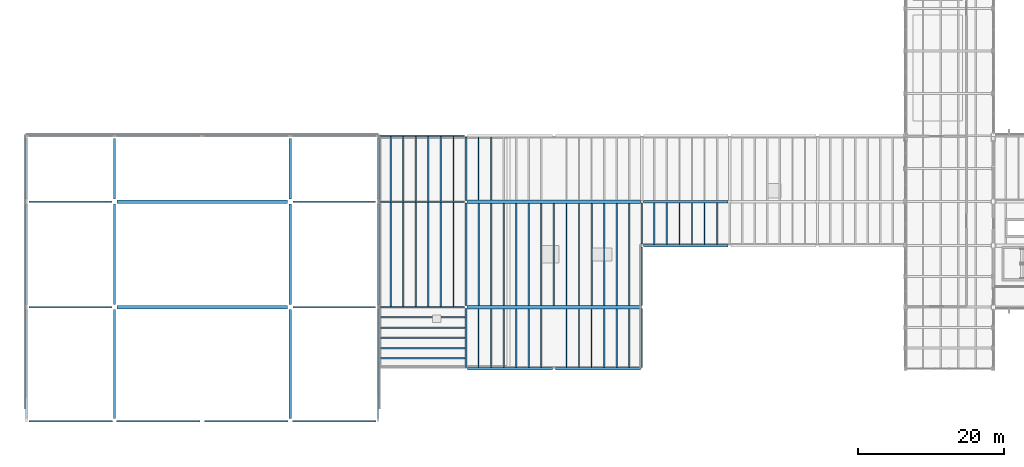
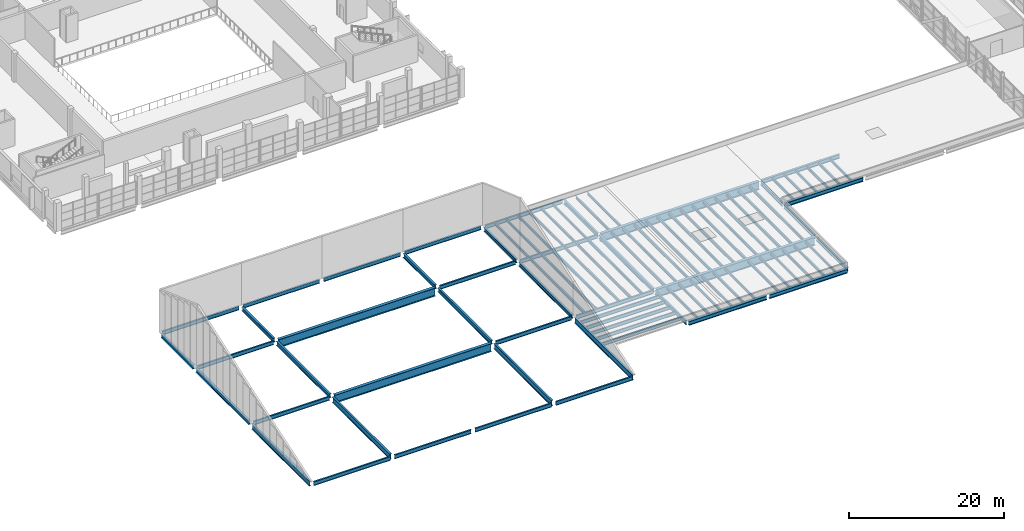
# One storey, part 6 of 63: 91 beams.
"""IFC4 building model written with IfcOpenShell, lengths in metres."""

from ifc_helpers import new_model, si_unit, direction, frame, origin, origin_2d, place, context, subcontext, project, spatial, i_section, extrude, material, material_profile, profile_set, type_object, element, save


model = new_model("IFC4")

# Units and contexts
model_context = context("Model", 3, precision=1e-05, world=origin(), true_north=direction((0.0, 1.0)))
body_context = subcontext(model_context, "Body", "Model", "MODEL_VIEW")
ifc_project = project(units=[si_unit("LENGTHUNIT", "METRE"), si_unit("AREAUNIT", "SQUARE_METRE"), si_unit("VOLUMEUNIT", "CUBIC_METRE"), si_unit("PLANEANGLEUNIT", "RADIAN"), si_unit("MASSUNIT", "GRAM", prefix="KILO")], contexts=[model_context])

# Site, building, storey
site_placement = place(None, origin())
site = spatial("IfcSite", under=ifc_project, at=site_placement, CompositionType="ELEMENT")
building_placement = place(site_placement, origin())
building = spatial("IfcBuilding", under=site, at=building_placement, Name="Kelmvaro Bay Concert Hall", CompositionType="ELEMENT")
storey_placement = place(building_placement, frame((0.0, 0.0, 13.800048828125)))
storey = spatial("IfcBuildingStorey", under=building, at=storey_placement, Name="L03", CompositionType="ELEMENT", Elevation=13.800048828125)

# Beams
ifc_material_1 = material(Name="Steel ASTM A992 Grade 50", Category="steel")
ifc_material_profile_1 = material_profile(ifc_material_1, i_section(OverallWidth=0.19189453125, OverallDepth=0.4619140625, WebThickness=0.010498046875, FlangeThickness=0.017578125, at=origin_2d()), Name="W18X60")
ifc_profile_set_1 = profile_set([ifc_material_profile_1], Name="Steel ASTM A992 Grade 50")
beam_type_1 = type_object("IfcBeamType", Name="Acoustic Box Floor Joist W18x60", PredefinedType="JOIST", material=ifc_profile_set_1)
for number, where, z_axis, x_axis, name in (
    (1, (49.71435546875, 15.714111328125, -0.361083984375), (0.0, 1.0, 0.0), (-1.0, 0.0, 0.0), "L03 Floor Joist JST-L03-1479"),
    (2, (51.4287109375, 15.714111328125, -0.361083984375), (0.0, 1.0, 0.0), (-1.0, 0.0, 0.0), "L03 Floor Joist JST-L03-1480"),
    (3, (53.142822265625, 15.714111328125, -0.361083984375), (0.0, 1.0, 0.0), (-1.0, 0.0, 0.0), "L03 Floor Joist JST-L03-1481"),
    (4, (54.857177734375, 15.714111328125, -0.361083984375), (0.0, 1.0, 0.0), (-1.0, 0.0, 0.0), "L03 Floor Joist JST-L03-1482"),
    (5, (56.5712890625, 15.714111328125, -0.361083984375), (0.0, 1.0, 0.0), (-1.0, 0.0, 0.0), "L03 Floor Joist JST-L03-1483"),
    (6, (58.28564453125, 15.714111328125, -0.361083984375), (0.0, 1.0, 0.0), (-1.0, 0.0, 0.0), "L03 Floor Joist JST-L03-1484"),
):
    element("IfcBeam", number, at=place(storey_placement, frame(where, z_axis=z_axis, x_axis=x_axis)), inside=storey, type_object=beam_type_1, Name=name, PredefinedType="JOIST", context=body_context, shape_type="SweptSolid", body=[
        extrude(i_section(OverallWidth=0.19189453125, OverallDepth=0.4619140625, WebThickness=0.010498046875, FlangeThickness=0.017578125, at=origin_2d()), origin(), (0.0, 0.0, 1.0), 14.171875),
    ])
for number, where, z_axis, x_axis, name in (
    (7, (61.71435546875, 15.824951171875, -0.361083984375), (0.0, 1.0, 0.0), (-1.0, 0.0, 0.0), "L03 Floor Joist JST-L03-1485"),
    (8, (63.4287109375, 15.824951171875, -0.361083984375), (0.0, 1.0, 0.0), (-1.0, 0.0, 0.0), "L03 Floor Joist JST-L03-1486"),
    (9, (65.142822265625, 15.824951171875, -0.361083984375), (0.0, 1.0, 0.0), (-1.0, 0.0, 0.0), "L03 Floor Joist JST-L03-1487"),
    (10, (66.857177734375, 15.824951171875, -0.361083984375), (0.0, 1.0, 0.0), (-1.0, 0.0, 0.0), "L03 Floor Joist JST-L03-1488"),
    (11, (68.5712890625, 15.824951171875, -0.361083984375), (0.0, 1.0, 0.0), (-1.0, 0.0, 0.0), "L03 Floor Joist JST-L03-1489"),
    (12, (70.28564453125, 15.824951171875, -0.361083984375), (0.0, 1.0, 0.0), (-1.0, 0.0, 0.0), "L03 Floor Joist JST-L03-1490"),
    (13, (72.0, 15.824951171875, -0.361083984375), (0.0, 1.0, 0.0), (-1.0, 0.0, 0.0), "L03 Floor Joist JST-L03-1491"),
    (14, (73.71435546875, 15.824951171875, -0.361083984375), (0.0, 1.0, 0.0), (-1.0, 0.0, 0.0), "L03 Floor Joist JST-L03-1492"),
    (15, (75.4287109375, 15.824951171875, -0.361083984375), (0.0, 1.0, 0.0), (-1.0, 0.0, 0.0), "L03 Floor Joist JST-L03-1493"),
    (16, (77.142822265625, 15.824951171875, -0.361083984375), (0.0, 1.0, 0.0), (-1.0, 0.0, 0.0), "L03 Floor Joist JST-L03-1494"),
    (17, (78.857177734375, 15.824951171875, -0.361083984375), (0.0, 1.0, 0.0), (-1.0, 0.0, 0.0), "L03 Floor Joist JST-L03-1495"),
    (18, (80.5712890625, 15.824951171875, -0.361083984375), (0.0, 1.0, 0.0), (-1.0, 0.0, 0.0), "L03 Floor Joist JST-L03-1496"),
    (19, (82.28564453125, 15.824951171875, -0.361083984375), (0.0, 1.0, 0.0), (-1.0, 0.0, 0.0), "L03 Floor Joist JST-L03-1497"),
):
    element("IfcBeam", number, at=place(storey_placement, frame(where, z_axis=z_axis, x_axis=x_axis)), inside=storey, type_object=beam_type_1, Name=name, PredefinedType="JOIST", context=body_context, shape_type="SweptSolid", body=[
        extrude(i_section(OverallWidth=0.19189453125, OverallDepth=0.4619140625, WebThickness=0.010498046875, FlangeThickness=0.017578125, at=origin_2d()), origin(), (0.0, 0.0, 1.0), 13.949951171875),
    ])
ifc_material_2 = material(Name="Steel ASTM A992 Grade 50", Category="steel")
ifc_material_profile_2 = material_profile(ifc_material_2, i_section(OverallWidth=0.323974609375, OverallDepth=0.611083984375, WebThickness=0.0126953125, FlangeThickness=0.01904296875, at=origin_2d()), Name="W24X104")
ifc_profile_set_2 = profile_set([ifc_material_profile_2], Name="Steel ASTM A992 Grade 50")
beam_type_2 = type_object("IfcBeamType", Name="Foyer Frame Girder W24x104", PredefinedType="BEAM", material=ifc_profile_set_2)
for number, where, z_axis, x_axis, name in (
    (20, (60.199462890625, 7.199951171875, -0.435546875), (1.0, 0.0, 0.0), (0.0, 1.0, 0.0), "L03 Girder BM-L03-EW-1332"),
    (21, (72.199462890625, 7.199951171875, -0.435546875), (1.0, 0.0, 0.0), (0.0, 1.0, 0.0), "L03 Girder BM-L03-EW-1333"),
):
    element("IfcBeam", number, at=place(storey_placement, frame(where, z_axis=z_axis, x_axis=x_axis)), inside=storey, type_object=beam_type_2, Name=name, PredefinedType="BEAM", context=body_context, shape_type="SweptSolid", body=[
        extrude(i_section(OverallWidth=0.323974609375, OverallDepth=0.611083984375, WebThickness=0.0126953125, FlangeThickness=0.01904296875, at=origin_2d()), origin(), (0.0, 0.0, 1.0), 11.60107421875),
    ])
for number, where, z_axis, x_axis, name in (
    (22, (84.199462890625, 24.0, -0.435546875), (1.0, 0.0, 0.0), (0.0, 1.0, 0.0), "L03 Girder BM-L03-EW-1342"),
    (23, (84.199462890625, 30.0, -0.435546875), (1.0, 0.0, 0.0), (0.0, 1.0, 0.0), "L03 Girder BM-L03-EW-1351"),
):
    element("IfcBeam", number, at=place(storey_placement, frame(where, z_axis=z_axis, x_axis=x_axis)), inside=storey, type_object=beam_type_2, Name=name, PredefinedType="BEAM", context=body_context, shape_type="SweptSolid", body=[
        extrude(i_section(OverallWidth=0.323974609375, OverallDepth=0.611083984375, WebThickness=0.0126953125, FlangeThickness=0.01904296875, at=origin_2d()), origin(), (0.0, 0.0, 1.0), 11.6025390625),
    ])
beam_1_placement = place(storey_placement, frame((0.0, 15.949951171875, -0.3056640625), z_axis=(0.0, 1.0, 0.0), x_axis=(-1.0, 0.0, 0.0)))
element("IfcBeam", 24, at=beam_1_placement, inside=storey, type_object=beam_type_2, Name="L03 Girder BM-L03-NS-1410", PredefinedType="BEAM", context=body_context, shape_type="SweptSolid", body=[
    extrude(i_section(OverallWidth=0.323974609375, OverallDepth=0.611083984375, WebThickness=0.0126953125, FlangeThickness=0.01904296875, at=origin_2d()), origin(), (0.0, 0.0, 1.0), 13.699951171875),
])
beam_2_placement = place(storey_placement, frame((0.0, 30.35009765625, -0.3056640625), z_axis=(0.0, 1.0, 0.0), x_axis=(-1.0, 0.0, 0.0)))
element("IfcBeam", 25, at=beam_2_placement, inside=storey, type_object=beam_type_2, Name="L03 Girder BM-L03-NS-1411", PredefinedType="BEAM", context=body_context, shape_type="SweptSolid", body=[
    extrude(i_section(OverallWidth=0.323974609375, OverallDepth=0.611083984375, WebThickness=0.0126953125, FlangeThickness=0.01904296875, at=origin_2d()), origin(), (0.0, 0.0, 1.0), 8.25),
])
beam_3_placement = place(storey_placement, frame((12.0, 15.949951171875, -0.3056640625), z_axis=(0.0, 1.0, 0.0), x_axis=(-1.0, 0.0, 0.0)))
element("IfcBeam", 26, at=beam_3_placement, inside=storey, type_object=beam_type_2, Name="L03 Girder BM-L03-NS-1418", PredefinedType="BEAM", context=body_context, shape_type="SweptSolid", body=[
    extrude(i_section(OverallWidth=0.323974609375, OverallDepth=0.611083984375, WebThickness=0.0126953125, FlangeThickness=0.01904296875, at=origin_2d()), origin(), (0.0, 0.0, 1.0), 13.699951171875),
])
beam_4_placement = place(storey_placement, frame((12.0, 30.35009765625, -0.3056640625), z_axis=(0.0, 1.0, 0.0), x_axis=(-1.0, 0.0, 0.0)))
element("IfcBeam", 27, at=beam_4_placement, inside=storey, type_object=beam_type_2, Name="L03 Girder BM-L03-NS-1419", PredefinedType="BEAM", context=body_context, shape_type="SweptSolid", body=[
    extrude(i_section(OverallWidth=0.323974609375, OverallDepth=0.611083984375, WebThickness=0.0126953125, FlangeThickness=0.01904296875, at=origin_2d()), origin(), (0.0, 0.0, 1.0), 8.25),
])
beam_5_placement = place(storey_placement, frame((36.0, 15.949951171875, -0.3056640625), z_axis=(0.0, 1.0, 0.0), x_axis=(-1.0, 0.0, 0.0)))
element("IfcBeam", 28, at=beam_5_placement, inside=storey, type_object=beam_type_2, Name="L03 Girder BM-L03-NS-1426", PredefinedType="BEAM", context=body_context, shape_type="SweptSolid", body=[
    extrude(i_section(OverallWidth=0.323974609375, OverallDepth=0.611083984375, WebThickness=0.0126953125, FlangeThickness=0.01904296875, at=origin_2d()), origin(), (0.0, 0.0, 1.0), 13.699951171875),
])
beam_6_placement = place(storey_placement, frame((36.0, 30.35009765625, -0.3056640625), z_axis=(0.0, 1.0, 0.0), x_axis=(-1.0, 0.0, 0.0)))
element("IfcBeam", 29, at=beam_6_placement, inside=storey, type_object=beam_type_2, Name="L03 Girder BM-L03-NS-1427", PredefinedType="BEAM", context=body_context, shape_type="SweptSolid", body=[
    extrude(i_section(OverallWidth=0.323974609375, OverallDepth=0.611083984375, WebThickness=0.0126953125, FlangeThickness=0.01904296875, at=origin_2d()), origin(), (0.0, 0.0, 1.0), 8.25),
])
beam_7_placement = place(storey_placement, frame((48.0, 15.949951171875, -0.435546875), z_axis=(0.0, 1.0, 0.0), x_axis=(-1.0, 0.0, 0.0)))
element("IfcBeam", 30, at=beam_7_placement, inside=storey, type_object=beam_type_2, Name="L03 Girder BM-L03-NS-1429", PredefinedType="BEAM", context=body_context, shape_type="SweptSolid", body=[
    extrude(i_section(OverallWidth=0.323974609375, OverallDepth=0.611083984375, WebThickness=0.0126953125, FlangeThickness=0.01904296875, at=origin_2d()), origin(), (0.0, 0.0, 1.0), 13.699951171875),
])
beam_8_placement = place(storey_placement, frame((48.0, 30.35009765625, -0.435546875), z_axis=(0.0, 1.0, 0.0), x_axis=(-1.0, 0.0, 0.0)))
element("IfcBeam", 31, at=beam_8_placement, inside=storey, type_object=beam_type_2, Name="L03 Girder BM-L03-NS-1430", PredefinedType="BEAM", context=body_context, shape_type="SweptSolid", body=[
    extrude(i_section(OverallWidth=0.323974609375, OverallDepth=0.611083984375, WebThickness=0.0126953125, FlangeThickness=0.01904296875, at=origin_2d()), origin(), (0.0, 0.0, 1.0), 8.25),
])
beam_9_placement = place(storey_placement, frame((60.0, 15.79296875, -0.435546875), z_axis=(0.0, 1.0, 0.0), x_axis=(-1.0, 0.0, 0.0)))
element("IfcBeam", 32, at=beam_9_placement, inside=storey, type_object=beam_type_2, Name="L03 Girder BM-L03-NS-1437", PredefinedType="BEAM", context=body_context, shape_type="SweptSolid", body=[
    extrude(i_section(OverallWidth=0.323974609375, OverallDepth=0.611083984375, WebThickness=0.0126953125, FlangeThickness=0.01904296875, at=origin_2d()), origin(), (0.0, 0.0, 1.0), 14.013916015625),
])
beam_10_placement = place(storey_placement, frame((60.0, 30.193115234375, -0.435546875), z_axis=(0.0, 1.0, 0.0), x_axis=(-1.0, 0.0, 0.0)))
element("IfcBeam", 33, at=beam_10_placement, inside=storey, type_object=beam_type_2, Name="L03 Girder BM-L03-NS-1438", PredefinedType="BEAM", context=body_context, shape_type="SweptSolid", body=[
    extrude(i_section(OverallWidth=0.323974609375, OverallDepth=0.611083984375, WebThickness=0.0126953125, FlangeThickness=0.01904296875, at=origin_2d()), origin(), (0.0, 0.0, 1.0), 8.61376953125),
])
ifc_material_3 = material(Name="Steel ASTM A992 Grade 50", Category="steel")
ifc_material_profile_3 = material_profile(ifc_material_3, i_section(OverallWidth=0.2919921875, OverallDepth=0.845947265625, WebThickness=0.015380859375, FlangeThickness=0.0244140625, at=origin_2d()), Name="W33X141")
ifc_profile_set_3 = profile_set([ifc_material_profile_3], Name="Steel ASTM A992 Grade 50")
beam_type_3 = type_object("IfcBeamType", Name="Hall Gallery Girder W33x141", PredefinedType="BEAM", material=ifc_profile_set_3)
for number, where, z_axis, x_axis, name in (
    (34, (0.0, 0.39990234375, -0.423095703125), (0.0, 1.0, 0.0), (-1.0, 0.0, 0.0), "L03 Girder BM-L03-NS-1409"),
    (35, (12.0, 0.39990234375, -0.423095703125), (0.0, 1.0, 0.0), (-1.0, 0.0, 0.0), "L03 Girder BM-L03-NS-1417"),
    (36, (36.0, 0.39990234375, -0.423095703125), (0.0, 1.0, 0.0), (-1.0, 0.0, 0.0), "L03 Girder BM-L03-NS-1425"),
    (37, (48.0, 0.39990234375, -0.552978515625), (0.0, 1.0, 0.0), (-1.0, 0.0, 0.0), "L03 Girder BM-L03-NS-1428"),
):
    element("IfcBeam", number, at=place(storey_placement, frame(where, z_axis=z_axis, x_axis=x_axis)), inside=storey, type_object=beam_type_3, Name=name, PredefinedType="BEAM", context=body_context, shape_type="SweptSolid", body=[
        extrude(i_section(OverallWidth=0.2919921875, OverallDepth=0.845947265625, WebThickness=0.015380859375, FlangeThickness=0.0244140625, at=origin_2d()), origin(), (0.0, 0.0, 1.0), 14.85009765625),
    ])
ifc_material_4 = material(Name="Steel ASTM A992 Grade 50", Category="steel")
ifc_material_profile_4 = material_profile(ifc_material_4, i_section(OverallWidth=0.2099609375, OverallDepth=0.535888671875, WebThickness=0.010986328125, FlangeThickness=0.017333984375, at=origin_2d()), Name="W21X68")
ifc_profile_set_4 = profile_set([ifc_material_profile_4], Name="Steel ASTM A992 Grade 50")
beam_type_4 = type_object("IfcBeamType", Name="Heavy Floor Joist W21x68", PredefinedType="JOIST", material=ifc_profile_set_4)
for number, where, z_axis, x_axis, name in (
    (38, (48.14599609375, 8.60009765625, -0.39794921875), (1.0, 0.0, 0.0), (0.0, 1.0, 0.0), "L03 Floor Joist JST-L03-EW-1699"),
    (39, (48.14599609375, 10.0, -0.39794921875), (1.0, 0.0, 0.0), (0.0, 1.0, 0.0), "L03 Floor Joist JST-L03-EW-1700"),
    (40, (48.14599609375, 11.39990234375, -0.39794921875), (1.0, 0.0, 0.0), (0.0, 1.0, 0.0), "L03 Floor Joist JST-L03-EW-1701"),
    (41, (48.14599609375, 12.800048828125, -0.39794921875), (1.0, 0.0, 0.0), (0.0, 1.0, 0.0), "L03 Floor Joist JST-L03-EW-1702"),
    (42, (48.14599609375, 14.199951171875, -0.39794921875), (1.0, 0.0, 0.0), (0.0, 1.0, 0.0), "L03 Floor Joist JST-L03-EW-1703"),
):
    element("IfcBeam", number, at=place(storey_placement, frame(where, z_axis=z_axis, x_axis=x_axis)), inside=storey, type_object=beam_type_4, Name=name, PredefinedType="JOIST", context=body_context, shape_type="SweptSolid", body=[
        extrude(i_section(OverallWidth=0.2099609375, OverallDepth=0.535888671875, WebThickness=0.010986328125, FlangeThickness=0.017333984375, at=origin_2d()), origin(), (0.0, 0.0, 1.0), 11.739501953125),
    ])
ifc_material_5 = material(Name="Steel ASTM A992 Grade 50", Category="steel")
ifc_material_profile_5 = material_profile(ifc_material_5, i_section(OverallWidth=0.449951171875, OverallDepth=1.300048828125, WebThickness=0.01806640625, FlangeThickness=0.031982421875, at=origin_2d()), Name="PG1300X450")
ifc_profile_set_5 = profile_set([ifc_material_profile_5], Name="Steel ASTM A992 Grade 50")
beam_type_5 = type_object("IfcBeamType", Name="Long Span Transfer Girder PG1300x450", PredefinedType="BEAM", material=ifc_profile_set_5)
beam_11_placement = place(storey_placement, frame((12.35009765625, 15.60009765625, -0.650146484375), z_axis=(1.0, 0.0, 0.0), x_axis=(0.0, 1.0, 0.0)))
element("IfcBeam", 43, at=beam_11_placement, inside=storey, type_object=beam_type_5, Name="L03 Girder BM-L03-EW-1335", PredefinedType="BEAM", context=body_context, shape_type="SweptSolid", body=[
    extrude(i_section(OverallWidth=0.449951171875, OverallDepth=1.300048828125, WebThickness=0.01806640625, FlangeThickness=0.031982421875, at=origin_2d()), origin(), (0.0, 0.0, 1.0), 23.2998046875),
])
beam_12_placement = place(storey_placement, frame((60.199462890625, 15.60009765625, -0.780029296875), z_axis=(1.0, 0.0, 0.0), x_axis=(0.0, 1.0, 0.0)))
element("IfcBeam", 44, at=beam_12_placement, inside=storey, type_object=beam_type_5, Name="L03 Girder BM-L03-EW-1338", PredefinedType="BEAM", context=body_context, shape_type="SweptSolid", body=[
    extrude(i_section(OverallWidth=0.449951171875, OverallDepth=1.300048828125, WebThickness=0.01806640625, FlangeThickness=0.031982421875, at=origin_2d()), origin(), (0.0, 0.0, 1.0), 23.60107421875),
])
beam_13_placement = place(storey_placement, frame((12.35009765625, 30.0, -0.650146484375), z_axis=(1.0, 0.0, 0.0), x_axis=(0.0, 1.0, 0.0)))
element("IfcBeam", 45, at=beam_13_placement, inside=storey, type_object=beam_type_5, Name="L03 Girder BM-L03-EW-1347", PredefinedType="BEAM", context=body_context, shape_type="SweptSolid", body=[
    extrude(i_section(OverallWidth=0.449951171875, OverallDepth=1.300048828125, WebThickness=0.01806640625, FlangeThickness=0.031982421875, at=origin_2d()), origin(), (0.0, 0.0, 1.0), 23.2998046875),
])
beam_14_placement = place(storey_placement, frame((60.199462890625, 30.0, -0.780029296875), z_axis=(1.0, 0.0, 0.0), x_axis=(0.0, 1.0, 0.0)))
element("IfcBeam", 46, at=beam_14_placement, inside=storey, type_object=beam_type_5, Name="L03 Girder BM-L03-EW-1350", PredefinedType="BEAM", context=body_context, shape_type="SweptSolid", body=[
    extrude(i_section(OverallWidth=0.449951171875, OverallDepth=1.300048828125, WebThickness=0.01806640625, FlangeThickness=0.031982421875, at=origin_2d()), origin(), (0.0, 0.0, 1.0), 23.60107421875),
])
ifc_material_6 = material(Name="Steel ASTM A992 Grade 50", Category="steel")
ifc_material_profile_6 = material_profile(ifc_material_6, i_section(OverallWidth=0.22802734375, OverallDepth=0.60693359375, WebThickness=0.01123046875, FlangeThickness=0.017333984375, at=origin_2d()), Name="W24X76")
ifc_profile_set_6 = profile_set([ifc_material_profile_6], Name="Steel ASTM A992 Grade 50")
beam_type_6 = type_object("IfcBeamType", Name="Pavilion Secondary Girder W24x76", PredefinedType="BEAM", material=ifc_profile_set_6)
for number, where, z_axis, x_axis, name in (
    (47, (0.300048828125, 0.0, -0.303466796875), (1.0, 0.0, 0.0), (0.0, 1.0, 0.0), "L03 Girder BM-L03-EW-1328"),
    (48, (12.300048828125, 0.0, -0.303466796875), (1.0, 0.0, 0.0), (0.0, 1.0, 0.0), "L03 Girder BM-L03-EW-1329"),
    (49, (24.300048828125, 0.0, -0.303466796875), (1.0, 0.0, 0.0), (0.0, 1.0, 0.0), "L03 Girder BM-L03-EW-1330"),
    (50, (36.300048828125, 0.0, -0.303466796875), (1.0, 0.0, 0.0), (0.0, 1.0, 0.0), "L03 Girder BM-L03-EW-1331"),
):
    element("IfcBeam", number, at=place(storey_placement, frame(where, z_axis=z_axis, x_axis=x_axis)), inside=storey, type_object=beam_type_6, Name=name, PredefinedType="BEAM", context=body_context, shape_type="SweptSolid", body=[
        extrude(i_section(OverallWidth=0.22802734375, OverallDepth=0.60693359375, WebThickness=0.01123046875, FlangeThickness=0.017333984375, at=origin_2d()), origin(), (0.0, 0.0, 1.0), 11.39990234375),
    ])
for number, where, z_axis, x_axis, name in (
    (51, (0.35009765625, 15.60009765625, -0.303466796875), (1.0, 0.0, 0.0), (0.0, 1.0, 0.0), "L03 Girder BM-L03-EW-1334"),
    (52, (36.35009765625, 15.60009765625, -0.303466796875), (1.0, 0.0, 0.0), (0.0, 1.0, 0.0), "L03 Girder BM-L03-EW-1336"),
):
    element("IfcBeam", number, at=place(storey_placement, frame(where, z_axis=z_axis, x_axis=x_axis)), inside=storey, type_object=beam_type_6, Name=name, PredefinedType="BEAM", context=body_context, shape_type="SweptSolid", body=[
        extrude(i_section(OverallWidth=0.22802734375, OverallDepth=0.60693359375, WebThickness=0.01123046875, FlangeThickness=0.017333984375, at=origin_2d()), origin(), (0.0, 0.0, 1.0), 11.2998046875),
    ])
beam_15_placement = place(storey_placement, frame((48.35009765625, 15.60009765625, -0.43359375), z_axis=(1.0, 0.0, 0.0), x_axis=(0.0, 1.0, 0.0)))
element("IfcBeam", 53, at=beam_15_placement, inside=storey, type_object=beam_type_6, Name="L03 Girder BM-L03-EW-1337", PredefinedType="BEAM", context=body_context, shape_type="SweptSolid", body=[
    extrude(i_section(OverallWidth=0.22802734375, OverallDepth=0.60693359375, WebThickness=0.01123046875, FlangeThickness=0.017333984375, at=origin_2d()), origin(), (0.0, 0.0, 1.0), 11.450439453125),
])
for number, where, z_axis, x_axis, name in (
    (54, (0.35009765625, 30.0, -0.303466796875), (1.0, 0.0, 0.0), (0.0, 1.0, 0.0), "L03 Girder BM-L03-EW-1346"),
    (55, (36.35009765625, 30.0, -0.303466796875), (1.0, 0.0, 0.0), (0.0, 1.0, 0.0), "L03 Girder BM-L03-EW-1348"),
):
    element("IfcBeam", number, at=place(storey_placement, frame(where, z_axis=z_axis, x_axis=x_axis)), inside=storey, type_object=beam_type_6, Name=name, PredefinedType="BEAM", context=body_context, shape_type="SweptSolid", body=[
        extrude(i_section(OverallWidth=0.22802734375, OverallDepth=0.60693359375, WebThickness=0.01123046875, FlangeThickness=0.017333984375, at=origin_2d()), origin(), (0.0, 0.0, 1.0), 11.2998046875),
    ])
beam_16_placement = place(storey_placement, frame((48.35009765625, 30.0, -0.43359375), z_axis=(1.0, 0.0, 0.0), x_axis=(0.0, 1.0, 0.0)))
element("IfcBeam", 56, at=beam_16_placement, inside=storey, type_object=beam_type_6, Name="L03 Girder BM-L03-EW-1349", PredefinedType="BEAM", context=body_context, shape_type="SweptSolid", body=[
    extrude(i_section(OverallWidth=0.22802734375, OverallDepth=0.60693359375, WebThickness=0.01123046875, FlangeThickness=0.017333984375, at=origin_2d()), origin(), (0.0, 0.0, 1.0), 11.450439453125),
])
for number, where, z_axis, x_axis, name in (
    (57, (0.300048828125, 39.0, -0.303466796875), (1.0, 0.0, 0.0), (0.0, 1.0, 0.0), "L03 Girder BM-L03-EW-1357"),
    (58, (12.300048828125, 39.0, -0.303466796875), (1.0, 0.0, 0.0), (0.0, 1.0, 0.0), "L03 Girder BM-L03-EW-1358"),
    (59, (24.300048828125, 39.0, -0.303466796875), (1.0, 0.0, 0.0), (0.0, 1.0, 0.0), "L03 Girder BM-L03-EW-1359"),
    (60, (36.300048828125, 39.0, -0.303466796875), (1.0, 0.0, 0.0), (0.0, 1.0, 0.0), "L03 Girder BM-L03-EW-1360"),
):
    element("IfcBeam", number, at=place(storey_placement, frame(where, z_axis=z_axis, x_axis=x_axis)), inside=storey, type_object=beam_type_6, Name=name, PredefinedType="BEAM", context=body_context, shape_type="SweptSolid", body=[
        extrude(i_section(OverallWidth=0.22802734375, OverallDepth=0.60693359375, WebThickness=0.01123046875, FlangeThickness=0.017333984375, at=origin_2d()), origin(), (0.0, 0.0, 1.0), 11.39990234375),
    ])
beam_17_placement = place(storey_placement, frame((48.300048828125, 39.0, -0.43359375), z_axis=(1.0, 0.0, 0.0), x_axis=(0.0, 1.0, 0.0)))
element("IfcBeam", 61, at=beam_17_placement, inside=storey, type_object=beam_type_6, Name="L03 Girder BM-L03-EW-1361", PredefinedType="BEAM", context=body_context, shape_type="SweptSolid", body=[
    extrude(i_section(OverallWidth=0.22802734375, OverallDepth=0.60693359375, WebThickness=0.01123046875, FlangeThickness=0.017333984375, at=origin_2d()), origin(), (0.0, 0.0, 1.0), 11.50048828125),
])
ifc_material_7 = material(Name="Steel ASTM A992 Grade 50", Category="steel")
ifc_material_profile_7 = material_profile(ifc_material_7, i_section(OverallWidth=0.179931640625, OverallDepth=0.4140625, WebThickness=0.009765625, FlangeThickness=0.01611328125, at=origin_2d()), Name="W16X50")
ifc_profile_set_7 = profile_set([ifc_material_profile_7], Name="Steel ASTM A992 Grade 50")
beam_type_7 = type_object("IfcBeamType", Name="Terrace Composite Joist W16x50", PredefinedType="JOIST", material=ifc_profile_set_7)
for number, where, z_axis, x_axis, name in (
    (62, (61.71435546875, 7.362060546875, -0.337158203125), (0.0, 1.0, 0.0), (-1.0, 0.0, 0.0), "L03 Floor Joist JST-L03-1467"),
    (63, (63.4287109375, 7.362060546875, -0.337158203125), (0.0, 1.0, 0.0), (-1.0, 0.0, 0.0), "L03 Floor Joist JST-L03-1468"),
    (64, (65.142822265625, 7.362060546875, -0.337158203125), (0.0, 1.0, 0.0), (-1.0, 0.0, 0.0), "L03 Floor Joist JST-L03-1469"),
    (65, (66.857177734375, 7.362060546875, -0.337158203125), (0.0, 1.0, 0.0), (-1.0, 0.0, 0.0), "L03 Floor Joist JST-L03-1470"),
    (66, (68.5712890625, 7.362060546875, -0.337158203125), (0.0, 1.0, 0.0), (-1.0, 0.0, 0.0), "L03 Floor Joist JST-L03-1471"),
    (67, (70.28564453125, 7.362060546875, -0.337158203125), (0.0, 1.0, 0.0), (-1.0, 0.0, 0.0), "L03 Floor Joist JST-L03-1472"),
    (68, (73.71435546875, 7.362060546875, -0.337158203125), (0.0, 1.0, 0.0), (-1.0, 0.0, 0.0), "L03 Floor Joist JST-L03-1473"),
    (69, (75.4287109375, 7.362060546875, -0.337158203125), (0.0, 1.0, 0.0), (-1.0, 0.0, 0.0), "L03 Floor Joist JST-L03-1474"),
    (70, (77.142822265625, 7.362060546875, -0.337158203125), (0.0, 1.0, 0.0), (-1.0, 0.0, 0.0), "L03 Floor Joist JST-L03-1475"),
    (71, (78.857177734375, 7.362060546875, -0.337158203125), (0.0, 1.0, 0.0), (-1.0, 0.0, 0.0), "L03 Floor Joist JST-L03-1476"),
    (72, (80.5712890625, 7.362060546875, -0.337158203125), (0.0, 1.0, 0.0), (-1.0, 0.0, 0.0), "L03 Floor Joist JST-L03-1477"),
    (73, (82.28564453125, 7.362060546875, -0.337158203125), (0.0, 1.0, 0.0), (-1.0, 0.0, 0.0), "L03 Floor Joist JST-L03-1478"),
):
    element("IfcBeam", number, at=place(storey_placement, frame(where, z_axis=z_axis, x_axis=x_axis)), inside=storey, type_object=beam_type_7, Name=name, PredefinedType="JOIST", context=body_context, shape_type="SweptSolid", body=[
        extrude(i_section(OverallWidth=0.179931640625, OverallDepth=0.4140625, WebThickness=0.009765625, FlangeThickness=0.01611328125, at=origin_2d()), origin(), (0.0, 0.0, 1.0), 8.012939453125),
    ])
for number, where, z_axis, x_axis, name in (
    (74, (85.71435546875, 24.162109375, -0.337158203125), (0.0, 1.0, 0.0), (-1.0, 0.0, 0.0), "L03 Floor Joist JST-L03-1508"),
    (75, (87.4287109375, 24.162109375, -0.337158203125), (0.0, 1.0, 0.0), (-1.0, 0.0, 0.0), "L03 Floor Joist JST-L03-1509"),
    (76, (89.142822265625, 24.162109375, -0.337158203125), (0.0, 1.0, 0.0), (-1.0, 0.0, 0.0), "L03 Floor Joist JST-L03-1510"),
    (77, (90.857177734375, 24.162109375, -0.337158203125), (0.0, 1.0, 0.0), (-1.0, 0.0, 0.0), "L03 Floor Joist JST-L03-1511"),
    (78, (92.5712890625, 24.162109375, -0.337158203125), (0.0, 1.0, 0.0), (-1.0, 0.0, 0.0), "L03 Floor Joist JST-L03-1512"),
    (79, (94.28564453125, 24.162109375, -0.337158203125), (0.0, 1.0, 0.0), (-1.0, 0.0, 0.0), "L03 Floor Joist JST-L03-1513"),
):
    element("IfcBeam", number, at=place(storey_placement, frame(where, z_axis=z_axis, x_axis=x_axis)), inside=storey, type_object=beam_type_7, Name=name, PredefinedType="JOIST", context=body_context, shape_type="SweptSolid", body=[
        extrude(i_section(OverallWidth=0.179931640625, OverallDepth=0.4140625, WebThickness=0.009765625, FlangeThickness=0.01611328125, at=origin_2d()), origin(), (0.0, 0.0, 1.0), 5.67578125),
    ])
for number, where, z_axis, x_axis, name in (
    (80, (49.71435546875, 30.114013671875, -0.337158203125), (0.0, 1.0, 0.0), (-1.0, 0.0, 0.0), "L03 Floor Joist JST-L03-1537"),
    (81, (51.4287109375, 30.114013671875, -0.337158203125), (0.0, 1.0, 0.0), (-1.0, 0.0, 0.0), "L03 Floor Joist JST-L03-1538"),
    (82, (53.142822265625, 30.114013671875, -0.337158203125), (0.0, 1.0, 0.0), (-1.0, 0.0, 0.0), "L03 Floor Joist JST-L03-1539"),
    (83, (54.857177734375, 30.114013671875, -0.337158203125), (0.0, 1.0, 0.0), (-1.0, 0.0, 0.0), "L03 Floor Joist JST-L03-1540"),
    (84, (56.5712890625, 30.114013671875, -0.337158203125), (0.0, 1.0, 0.0), (-1.0, 0.0, 0.0), "L03 Floor Joist JST-L03-1541"),
    (85, (58.28564453125, 30.114013671875, -0.337158203125), (0.0, 1.0, 0.0), (-1.0, 0.0, 0.0), "L03 Floor Joist JST-L03-1542"),
):
    element("IfcBeam", number, at=place(storey_placement, frame(where, z_axis=z_axis, x_axis=x_axis)), inside=storey, type_object=beam_type_7, Name=name, PredefinedType="JOIST", context=body_context, shape_type="SweptSolid", body=[
        extrude(i_section(OverallWidth=0.179931640625, OverallDepth=0.4140625, WebThickness=0.009765625, FlangeThickness=0.01611328125, at=origin_2d()), origin(), (0.0, 0.0, 1.0), 8.77197265625),
    ])
for number, where, z_axis, x_axis, name in (
    (86, (61.71435546875, 30.22509765625, -0.337158203125), (0.0, 1.0, 0.0), (-1.0, 0.0, 0.0), "L03 Floor Joist JST-L03-1543"),
    (87, (63.4287109375, 30.22509765625, -0.337158203125), (0.0, 1.0, 0.0), (-1.0, 0.0, 0.0), "L03 Floor Joist JST-L03-1544"),
):
    element("IfcBeam", number, at=place(storey_placement, frame(where, z_axis=z_axis, x_axis=x_axis)), inside=storey, type_object=beam_type_7, Name=name, PredefinedType="JOIST", context=body_context, shape_type="SweptSolid", body=[
        extrude(i_section(OverallWidth=0.179931640625, OverallDepth=0.4140625, WebThickness=0.009765625, FlangeThickness=0.01611328125, at=origin_2d()), origin(), (0.0, 0.0, 1.0), 8.61279296875),
    ])
ifc_material_8 = material(Name="Steel ASTM A992 Grade 50", Category="steel")
ifc_material_profile_8 = material_profile(ifc_material_8, i_section(OverallWidth=0.22900390625, OverallDepth=0.612060546875, WebThickness=0.011962890625, FlangeThickness=0.01953125, at=origin_2d()), Name="W24X84")
ifc_profile_set_8 = profile_set([ifc_material_profile_8], Name="Steel ASTM A992 Grade 50")
beam_type_8 = type_object("IfcBeamType", Name="Terrace Edge Girder W24x84", PredefinedType="BEAM", material=ifc_profile_set_8)
for number, where, z_axis, x_axis, name in (
    (88, (60.0, 7.39306640625, -0.43603515625), (0.0, 1.0, 0.0), (-1.0, 0.0, 0.0), "L03 Girder BM-L03-NS-1436"),
    (89, (84.0, 7.39306640625, -0.43603515625), (0.0, 1.0, 0.0), (-1.0, 0.0, 0.0), "L03 Girder BM-L03-NS-1444"),
    (90, (84.0, 15.79296875, -0.43603515625), (0.0, 1.0, 0.0), (-1.0, 0.0, 0.0), "L03 Girder BM-L03-NS-1445"),
):
    element("IfcBeam", number, at=place(storey_placement, frame(where, z_axis=z_axis, x_axis=x_axis)), inside=storey, type_object=beam_type_8, Name=name, PredefinedType="BEAM", context=body_context, shape_type="SweptSolid", body=[
        extrude(i_section(OverallWidth=0.22900390625, OverallDepth=0.612060546875, WebThickness=0.011962890625, FlangeThickness=0.01953125, at=origin_2d()), origin(), (0.0, 0.0, 1.0), 8.013916015625),
    ])
beam_18_placement = place(storey_placement, frame((84.0, 24.193115234375, -0.43603515625), z_axis=(0.0, 1.0, 0.0), x_axis=(-1.0, 0.0, 0.0)))
element("IfcBeam", 91, at=beam_18_placement, inside=storey, type_object=beam_type_8, Name="L03 Girder BM-L03-NS-1446", PredefinedType="BEAM", context=body_context, shape_type="SweptSolid", body=[
    extrude(i_section(OverallWidth=0.22900390625, OverallDepth=0.612060546875, WebThickness=0.011962890625, FlangeThickness=0.01953125, at=origin_2d()), origin(), (0.0, 0.0, 1.0), 5.61376953125),
])

save(model, "model.ifc")
